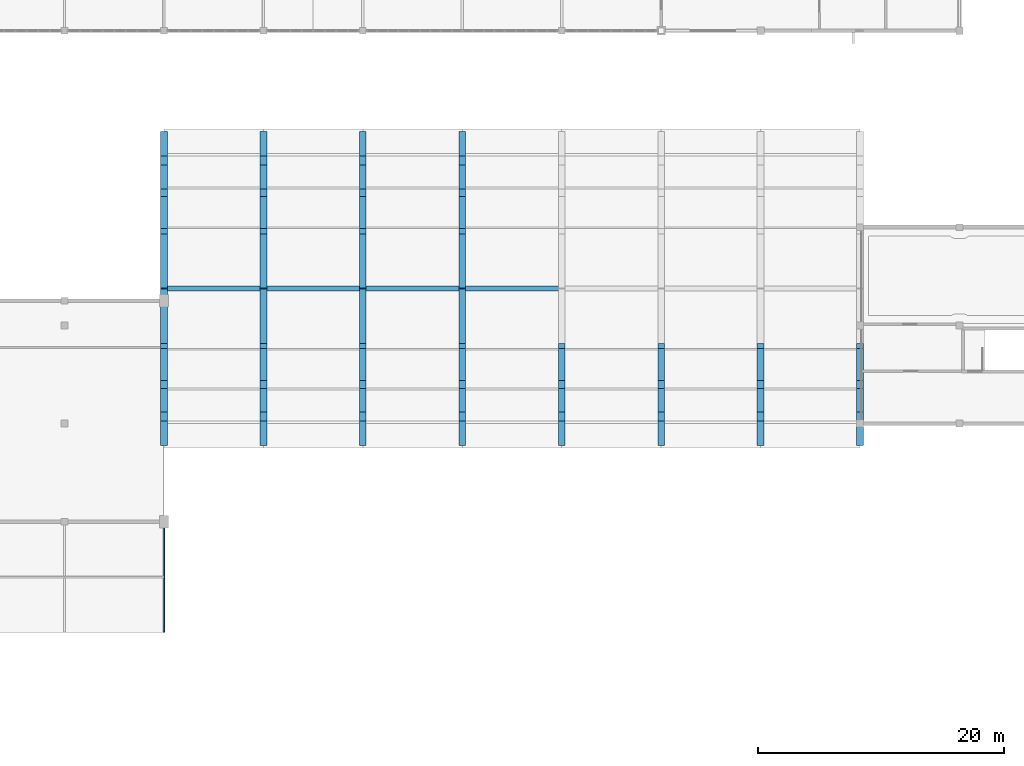
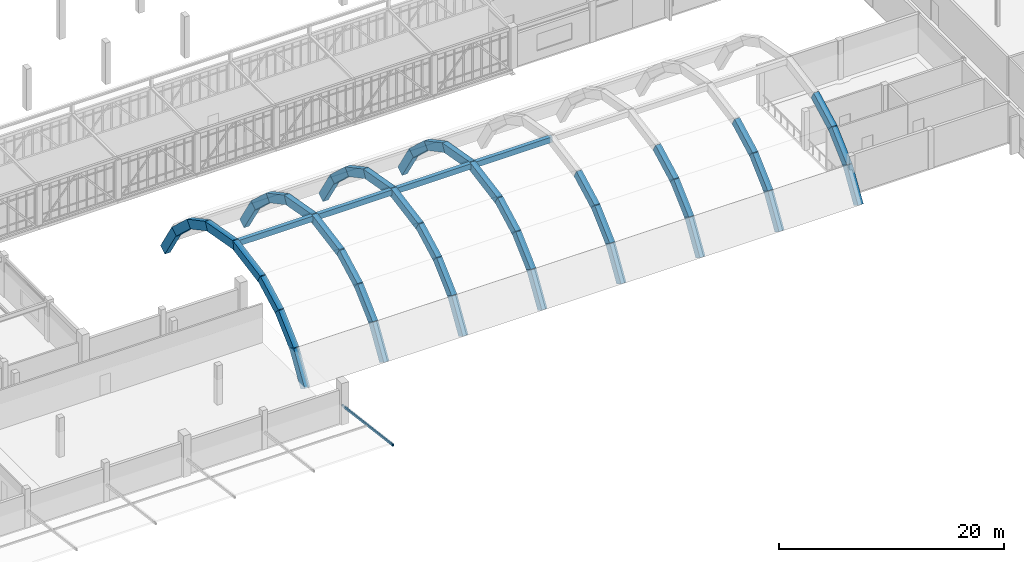
# One storey, part 6 of 67: 48 beams, 1 member.
"""IFC4 building model written with IfcOpenShell, lengths in metres."""

from ifc_helpers import new_model, si_unit, direction, frame, origin, origin_2d, place, context, subcontext, project, spatial, rectangle, hollow_rectangle, extrude, material, material_profile, profile_set, type_object, element, save


model = new_model("IFC4")

# Units and contexts
model_context = context("Model", 3, precision=1e-05, world=origin(), true_north=direction((0.0, 1.0)))
body_context = subcontext(model_context, "Body", "Model", "MODEL_VIEW")
ifc_project = project(units=[si_unit("LENGTHUNIT", "METRE"), si_unit("AREAUNIT", "SQUARE_METRE"), si_unit("VOLUMEUNIT", "CUBIC_METRE"), si_unit("PLANEANGLEUNIT", "RADIAN"), si_unit("MASSUNIT", "GRAM", prefix="KILO")], contexts=[model_context])

# Site, building, storey
site_placement = place(None, origin())
site = spatial("IfcSite", under=ifc_project, at=site_placement, CompositionType="ELEMENT")
building_placement = place(site_placement, origin())
building = spatial("IfcBuilding", under=site, at=building_placement, Name="Tarnveldt Square Police Headquarters", CompositionType="ELEMENT")
storey_placement = place(building_placement, frame((0.0, 0.0, 10.199951171875)))
storey = spatial("IfcBuildingStorey", under=building, at=storey_placement, Name="L02", CompositionType="ELEMENT", Elevation=10.199951171875)

# Beams
ifc_material_1 = material(Name="Concrete 40 MPa", Category="concrete")
ifc_material_profile_1 = material_profile(ifc_material_1, rectangle(XDim=0.39990234375, YDim=0.60009765625, at=origin_2d()), Name="RC-B400x600")
ifc_profile_set_1 = profile_set([ifc_material_profile_1], Name="Concrete 40 MPa")
beam_type_1 = type_object("IfcBeamType", Name="BM-RC400x600", PredefinedType="BEAM", material=ifc_profile_set_1)
beam_1_placement = place(storey_placement, frame((64.800048828125, 35.0, 7.81005859375), z_axis=(1.0, 0.0, 0.0), x_axis=(0.0, 1.0, 0.0)))
element("IfcBeam", 1, at=beam_1_placement, inside=storey, type_object=beam_type_1, Name="Public Entrance Hall Barrel Vault Crown Ring Beam 1", PredefinedType="BEAM", context=body_context, shape_type="SweptSolid", body=[
    extrude(rectangle(XDim=0.39990234375, YDim=0.60009765625, at=origin_2d()), origin(), (0.0, 0.0, 1.0), 8.099853515625),
])
for number, where, z_axis, x_axis, name in (
    (2, (72.89990234375, 35.0, 7.81005859375), (1.0, 0.0, 0.0), (0.0, 1.0, 0.0), "Public Entrance Hall Barrel Vault Crown Ring Beam 2"),
    (3, (81.0, 35.0, 7.81005859375), (1.0, 0.0, 0.0), (0.0, 1.0, 0.0), "Public Entrance Hall Barrel Vault Crown Ring Beam 3"),
):
    element("IfcBeam", number, at=place(storey_placement, frame(where, z_axis=z_axis, x_axis=x_axis)), inside=storey, type_object=beam_type_1, Name=name, PredefinedType="BEAM", context=body_context, shape_type="SweptSolid", body=[
        extrude(rectangle(XDim=0.39990234375, YDim=0.60009765625, at=origin_2d()), origin(), (0.0, 0.0, 1.0), 8.10009765625),
    ])
beam_2_placement = place(storey_placement, frame((89.10009765625, 35.0, 7.81005859375), z_axis=(1.0, 0.0, 0.0), x_axis=(0.0, 1.0, 0.0)))
element("IfcBeam", 4, at=beam_2_placement, inside=storey, type_object=beam_type_1, Name="Public Entrance Hall Barrel Vault Crown Ring Beam 4", PredefinedType="BEAM", context=body_context, shape_type="SweptSolid", body=[
    extrude(rectangle(XDim=0.39990234375, YDim=0.60009765625, at=origin_2d()), origin(), (0.0, 0.0, 1.0), 8.099853515625),
])
ifc_material_profile_2 = material_profile(ifc_material_1, rectangle(XDim=0.550048828125, YDim=0.89990234375, at=origin_2d()), Name="RC-RIB550x900")
ifc_profile_set_2 = profile_set([ifc_material_profile_2], Name="Concrete 40 MPa")
beam_type_2 = type_object("IfcBeamType", Name="BM-RIB550x900", PredefinedType="USERDEFINED", material=ifc_profile_set_2)
beam_3_placement = place(storey_placement, frame((64.800048828125, 22.577392578125, -0.359130859375), z_axis=(0.0, 0.528169479529, 0.849138976196), x_axis=(-1.0, 0.0, 0.0)))
element("IfcBeam", 5, at=beam_3_placement, inside=storey, type_object=beam_type_2, Name="Public Entrance Hall Exposed Arch Rib 1.1", ObjectType="ARCH RIB", PredefinedType="USERDEFINED", context=body_context, shape_type="SweptSolid", body=[
    extrude(rectangle(XDim=0.550048828125, YDim=0.89990234375, at=origin_2d()), origin(), (0.0, 0.0, 1.0), 3.781005859375),
])
beam_4_placement = place(storey_placement, frame((64.800048828125, 24.460693359375, 2.71337890625), z_axis=(0.0, 0.731336551038, 0.682016751345), x_axis=(-1.0, 0.0, 0.0)))
element("IfcBeam", 6, at=beam_4_placement, inside=storey, type_object=beam_type_2, Name="Public Entrance Hall Exposed Arch Rib 1.2", ObjectType="ARCH RIB", PredefinedType="USERDEFINED", context=body_context, shape_type="SweptSolid", body=[
    extrude(rectangle(XDim=0.550048828125, YDim=0.89990234375, at=origin_2d()), origin(), (0.0, 0.0, 1.0), 3.722412109375),
])
beam_5_placement = place(storey_placement, frame((64.800048828125, 27.03857421875, 5.14892578125), z_axis=(0.0, 0.882931392206, 0.469502030514), x_axis=(-1.0, 0.0, 0.0)))
element("IfcBeam", 7, at=beam_5_placement, inside=storey, type_object=beam_type_2, Name="Public Entrance Hall Exposed Arch Rib 1.3", ObjectType="ARCH RIB", PredefinedType="USERDEFINED", context=body_context, shape_type="SweptSolid", body=[
    extrude(rectangle(XDim=0.550048828125, YDim=0.89990234375, at=origin_2d()), origin(), (0.0, 0.0, 1.0), 3.72265625),
])
for number, where, z_axis, x_axis, name in (
    (8, (64.800048828125, 30.127197265625, 6.827880859375), (0.0, 0.984039573489, 0.177949762031), (-1.0, 0.0, 0.0), "Public Entrance Hall Exposed Arch Rib 1.4"),
    (9, (64.800048828125, 34.87890625, 7.73095703125), (0.0, 0.984039573489, -0.177949762031), (-1.0, 0.0, 0.0), "Public Entrance Hall Exposed Arch Rib 1.5"),
):
    element("IfcBeam", number, at=place(storey_placement, frame(where, z_axis=z_axis, x_axis=x_axis)), inside=storey, type_object=beam_type_2, Name=name, ObjectType="ARCH RIB", PredefinedType="USERDEFINED", context=body_context, shape_type="SweptSolid", body=[
        extrude(rectangle(XDim=0.550048828125, YDim=0.89990234375, at=origin_2d()), origin(), (0.0, 0.0, 1.0), 5.074951171875),
    ])
beam_6_placement = place(storey_placement, frame((64.800048828125, 39.674560546875, 6.896728515625), z_axis=(0.0, 0.882931392206, -0.469502030514), x_axis=(-1.0, 0.0, 0.0)))
element("IfcBeam", 10, at=beam_6_placement, inside=storey, type_object=beam_type_2, Name="Public Entrance Hall Exposed Arch Rib 1.6", ObjectType="ARCH RIB", PredefinedType="USERDEFINED", context=body_context, shape_type="SweptSolid", body=[
    extrude(rectangle(XDim=0.550048828125, YDim=0.89990234375, at=origin_2d()), origin(), (0.0, 0.0, 1.0), 3.72265625),
])
beam_7_placement = place(storey_placement, frame((64.800048828125, 42.81689453125, 5.252197265625), z_axis=(0.0, 0.731336551038, -0.682016751345), x_axis=(-1.0, 0.0, 0.0)))
element("IfcBeam", 11, at=beam_7_placement, inside=storey, type_object=beam_type_2, Name="Public Entrance Hall Exposed Arch Rib 1.7", ObjectType="ARCH RIB", PredefinedType="USERDEFINED", context=body_context, shape_type="SweptSolid", body=[
    extrude(rectangle(XDim=0.550048828125, YDim=0.89990234375, at=origin_2d()), origin(), (0.0, 0.0, 1.0), 3.722412109375),
])
for number, where, z_axis, x_axis, name in (
    (12, (64.800048828125, 45.425537109375, 2.8515625), (0.0, 0.528169479529, -0.849138976196), (-1.0, 0.0, 0.0), "Public Entrance Hall Exposed Arch Rib 1.8"),
    (13, (72.89990234375, 22.577392578125, -0.359130859375), (0.0, 0.528169479529, 0.849138976196), (-1.0, 0.0, 0.0), "Public Entrance Hall Exposed Arch Rib 2.1"),
):
    element("IfcBeam", number, at=place(storey_placement, frame(where, z_axis=z_axis, x_axis=x_axis)), inside=storey, type_object=beam_type_2, Name=name, ObjectType="ARCH RIB", PredefinedType="USERDEFINED", context=body_context, shape_type="SweptSolid", body=[
        extrude(rectangle(XDim=0.550048828125, YDim=0.89990234375, at=origin_2d()), origin(), (0.0, 0.0, 1.0), 3.781005859375),
    ])
beam_8_placement = place(storey_placement, frame((72.89990234375, 24.460693359375, 2.71337890625), z_axis=(0.0, 0.731336551038, 0.682016751345), x_axis=(-1.0, 0.0, 0.0)))
element("IfcBeam", 14, at=beam_8_placement, inside=storey, type_object=beam_type_2, Name="Public Entrance Hall Exposed Arch Rib 2.2", ObjectType="ARCH RIB", PredefinedType="USERDEFINED", context=body_context, shape_type="SweptSolid", body=[
    extrude(rectangle(XDim=0.550048828125, YDim=0.89990234375, at=origin_2d()), origin(), (0.0, 0.0, 1.0), 3.722412109375),
])
beam_9_placement = place(storey_placement, frame((72.89990234375, 27.03857421875, 5.14892578125), z_axis=(0.0, 0.882931392206, 0.469502030514), x_axis=(-1.0, 0.0, 0.0)))
element("IfcBeam", 15, at=beam_9_placement, inside=storey, type_object=beam_type_2, Name="Public Entrance Hall Exposed Arch Rib 2.3", ObjectType="ARCH RIB", PredefinedType="USERDEFINED", context=body_context, shape_type="SweptSolid", body=[
    extrude(rectangle(XDim=0.550048828125, YDim=0.89990234375, at=origin_2d()), origin(), (0.0, 0.0, 1.0), 3.72265625),
])
for number, where, z_axis, x_axis, name in (
    (16, (72.89990234375, 30.127197265625, 6.827880859375), (0.0, 0.984039573489, 0.177949762031), (-1.0, 0.0, 0.0), "Public Entrance Hall Exposed Arch Rib 2.4"),
    (17, (72.89990234375, 34.87890625, 7.73095703125), (0.0, 0.984039573489, -0.177949762031), (-1.0, 0.0, 0.0), "Public Entrance Hall Exposed Arch Rib 2.5"),
):
    element("IfcBeam", number, at=place(storey_placement, frame(where, z_axis=z_axis, x_axis=x_axis)), inside=storey, type_object=beam_type_2, Name=name, ObjectType="ARCH RIB", PredefinedType="USERDEFINED", context=body_context, shape_type="SweptSolid", body=[
        extrude(rectangle(XDim=0.550048828125, YDim=0.89990234375, at=origin_2d()), origin(), (0.0, 0.0, 1.0), 5.074951171875),
    ])
beam_10_placement = place(storey_placement, frame((72.89990234375, 39.674560546875, 6.896728515625), z_axis=(0.0, 0.882931392206, -0.469502030514), x_axis=(-1.0, 0.0, 0.0)))
element("IfcBeam", 18, at=beam_10_placement, inside=storey, type_object=beam_type_2, Name="Public Entrance Hall Exposed Arch Rib 2.6", ObjectType="ARCH RIB", PredefinedType="USERDEFINED", context=body_context, shape_type="SweptSolid", body=[
    extrude(rectangle(XDim=0.550048828125, YDim=0.89990234375, at=origin_2d()), origin(), (0.0, 0.0, 1.0), 3.72265625),
])
beam_11_placement = place(storey_placement, frame((72.89990234375, 42.81689453125, 5.252197265625), z_axis=(0.0, 0.731336551038, -0.682016751345), x_axis=(-1.0, 0.0, 0.0)))
element("IfcBeam", 19, at=beam_11_placement, inside=storey, type_object=beam_type_2, Name="Public Entrance Hall Exposed Arch Rib 2.7", ObjectType="ARCH RIB", PredefinedType="USERDEFINED", context=body_context, shape_type="SweptSolid", body=[
    extrude(rectangle(XDim=0.550048828125, YDim=0.89990234375, at=origin_2d()), origin(), (0.0, 0.0, 1.0), 3.722412109375),
])
for number, where, z_axis, x_axis, name in (
    (20, (72.89990234375, 45.425537109375, 2.8515625), (0.0, 0.528169479529, -0.849138976196), (-1.0, 0.0, 0.0), "Public Entrance Hall Exposed Arch Rib 2.8"),
    (21, (81.0, 22.577392578125, -0.359130859375), (0.0, 0.528169479529, 0.849138976196), (-1.0, 0.0, 0.0), "Public Entrance Hall Exposed Arch Rib 3.1"),
):
    element("IfcBeam", number, at=place(storey_placement, frame(where, z_axis=z_axis, x_axis=x_axis)), inside=storey, type_object=beam_type_2, Name=name, ObjectType="ARCH RIB", PredefinedType="USERDEFINED", context=body_context, shape_type="SweptSolid", body=[
        extrude(rectangle(XDim=0.550048828125, YDim=0.89990234375, at=origin_2d()), origin(), (0.0, 0.0, 1.0), 3.781005859375),
    ])
beam_12_placement = place(storey_placement, frame((81.0, 24.460693359375, 2.71337890625), z_axis=(0.0, 0.731336551038, 0.682016751345), x_axis=(-1.0, 0.0, 0.0)))
element("IfcBeam", 22, at=beam_12_placement, inside=storey, type_object=beam_type_2, Name="Public Entrance Hall Exposed Arch Rib 3.2", ObjectType="ARCH RIB", PredefinedType="USERDEFINED", context=body_context, shape_type="SweptSolid", body=[
    extrude(rectangle(XDim=0.550048828125, YDim=0.89990234375, at=origin_2d()), origin(), (0.0, 0.0, 1.0), 3.722412109375),
])
beam_13_placement = place(storey_placement, frame((81.0, 27.03857421875, 5.14892578125), z_axis=(0.0, 0.882931392206, 0.469502030514), x_axis=(-1.0, 0.0, 0.0)))
element("IfcBeam", 23, at=beam_13_placement, inside=storey, type_object=beam_type_2, Name="Public Entrance Hall Exposed Arch Rib 3.3", ObjectType="ARCH RIB", PredefinedType="USERDEFINED", context=body_context, shape_type="SweptSolid", body=[
    extrude(rectangle(XDim=0.550048828125, YDim=0.89990234375, at=origin_2d()), origin(), (0.0, 0.0, 1.0), 3.72265625),
])
for number, where, z_axis, x_axis, name in (
    (24, (81.0, 30.127197265625, 6.827880859375), (0.0, 0.984039573489, 0.177949762031), (-1.0, 0.0, 0.0), "Public Entrance Hall Exposed Arch Rib 3.4"),
    (25, (81.0, 34.87890625, 7.73095703125), (0.0, 0.984039573489, -0.177949762031), (-1.0, 0.0, 0.0), "Public Entrance Hall Exposed Arch Rib 3.5"),
):
    element("IfcBeam", number, at=place(storey_placement, frame(where, z_axis=z_axis, x_axis=x_axis)), inside=storey, type_object=beam_type_2, Name=name, ObjectType="ARCH RIB", PredefinedType="USERDEFINED", context=body_context, shape_type="SweptSolid", body=[
        extrude(rectangle(XDim=0.550048828125, YDim=0.89990234375, at=origin_2d()), origin(), (0.0, 0.0, 1.0), 5.074951171875),
    ])
beam_14_placement = place(storey_placement, frame((81.0, 39.674560546875, 6.896728515625), z_axis=(0.0, 0.882931392206, -0.469502030514), x_axis=(-1.0, 0.0, 0.0)))
element("IfcBeam", 26, at=beam_14_placement, inside=storey, type_object=beam_type_2, Name="Public Entrance Hall Exposed Arch Rib 3.6", ObjectType="ARCH RIB", PredefinedType="USERDEFINED", context=body_context, shape_type="SweptSolid", body=[
    extrude(rectangle(XDim=0.550048828125, YDim=0.89990234375, at=origin_2d()), origin(), (0.0, 0.0, 1.0), 3.72265625),
])
beam_15_placement = place(storey_placement, frame((81.0, 42.81689453125, 5.252197265625), z_axis=(0.0, 0.731336551038, -0.682016751345), x_axis=(-1.0, 0.0, 0.0)))
element("IfcBeam", 27, at=beam_15_placement, inside=storey, type_object=beam_type_2, Name="Public Entrance Hall Exposed Arch Rib 3.7", ObjectType="ARCH RIB", PredefinedType="USERDEFINED", context=body_context, shape_type="SweptSolid", body=[
    extrude(rectangle(XDim=0.550048828125, YDim=0.89990234375, at=origin_2d()), origin(), (0.0, 0.0, 1.0), 3.722412109375),
])
for number, where, z_axis, x_axis, name in (
    (28, (81.0, 45.425537109375, 2.8515625), (0.0, 0.528169479529, -0.849138976196), (-1.0, 0.0, 0.0), "Public Entrance Hall Exposed Arch Rib 3.8"),
    (29, (89.10009765625, 22.577392578125, -0.359130859375), (0.0, 0.528169479529, 0.849138976196), (-1.0, 0.0, 0.0), "Public Entrance Hall Exposed Arch Rib 4.1"),
):
    element("IfcBeam", number, at=place(storey_placement, frame(where, z_axis=z_axis, x_axis=x_axis)), inside=storey, type_object=beam_type_2, Name=name, ObjectType="ARCH RIB", PredefinedType="USERDEFINED", context=body_context, shape_type="SweptSolid", body=[
        extrude(rectangle(XDim=0.550048828125, YDim=0.89990234375, at=origin_2d()), origin(), (0.0, 0.0, 1.0), 3.781005859375),
    ])
beam_16_placement = place(storey_placement, frame((89.10009765625, 24.460693359375, 2.71337890625), z_axis=(0.0, 0.731336551038, 0.682016751345), x_axis=(-1.0, 0.0, 0.0)))
element("IfcBeam", 30, at=beam_16_placement, inside=storey, type_object=beam_type_2, Name="Public Entrance Hall Exposed Arch Rib 4.2", ObjectType="ARCH RIB", PredefinedType="USERDEFINED", context=body_context, shape_type="SweptSolid", body=[
    extrude(rectangle(XDim=0.550048828125, YDim=0.89990234375, at=origin_2d()), origin(), (0.0, 0.0, 1.0), 3.722412109375),
])
beam_17_placement = place(storey_placement, frame((89.10009765625, 27.03857421875, 5.14892578125), z_axis=(0.0, 0.882931392206, 0.469502030514), x_axis=(-1.0, 0.0, 0.0)))
element("IfcBeam", 31, at=beam_17_placement, inside=storey, type_object=beam_type_2, Name="Public Entrance Hall Exposed Arch Rib 4.3", ObjectType="ARCH RIB", PredefinedType="USERDEFINED", context=body_context, shape_type="SweptSolid", body=[
    extrude(rectangle(XDim=0.550048828125, YDim=0.89990234375, at=origin_2d()), origin(), (0.0, 0.0, 1.0), 3.72265625),
])
for number, where, z_axis, x_axis, name in (
    (32, (89.10009765625, 30.127197265625, 6.827880859375), (0.0, 0.984039573489, 0.177949762031), (-1.0, 0.0, 0.0), "Public Entrance Hall Exposed Arch Rib 4.4"),
    (33, (89.10009765625, 34.87890625, 7.73095703125), (0.0, 0.984039573489, -0.177949762031), (-1.0, 0.0, 0.0), "Public Entrance Hall Exposed Arch Rib 4.5"),
):
    element("IfcBeam", number, at=place(storey_placement, frame(where, z_axis=z_axis, x_axis=x_axis)), inside=storey, type_object=beam_type_2, Name=name, ObjectType="ARCH RIB", PredefinedType="USERDEFINED", context=body_context, shape_type="SweptSolid", body=[
        extrude(rectangle(XDim=0.550048828125, YDim=0.89990234375, at=origin_2d()), origin(), (0.0, 0.0, 1.0), 5.074951171875),
    ])
beam_18_placement = place(storey_placement, frame((89.10009765625, 39.674560546875, 6.896728515625), z_axis=(0.0, 0.882931392206, -0.469502030514), x_axis=(-1.0, 0.0, 0.0)))
element("IfcBeam", 34, at=beam_18_placement, inside=storey, type_object=beam_type_2, Name="Public Entrance Hall Exposed Arch Rib 4.6", ObjectType="ARCH RIB", PredefinedType="USERDEFINED", context=body_context, shape_type="SweptSolid", body=[
    extrude(rectangle(XDim=0.550048828125, YDim=0.89990234375, at=origin_2d()), origin(), (0.0, 0.0, 1.0), 3.72265625),
])
beam_19_placement = place(storey_placement, frame((89.10009765625, 42.81689453125, 5.252197265625), z_axis=(0.0, 0.731336551038, -0.682016751345), x_axis=(-1.0, 0.0, 0.0)))
element("IfcBeam", 35, at=beam_19_placement, inside=storey, type_object=beam_type_2, Name="Public Entrance Hall Exposed Arch Rib 4.7", ObjectType="ARCH RIB", PredefinedType="USERDEFINED", context=body_context, shape_type="SweptSolid", body=[
    extrude(rectangle(XDim=0.550048828125, YDim=0.89990234375, at=origin_2d()), origin(), (0.0, 0.0, 1.0), 3.722412109375),
])
for number, where, z_axis, x_axis, name in (
    (36, (89.10009765625, 45.425537109375, 2.8515625), (0.0, 0.528169479529, -0.849138976196), (-1.0, 0.0, 0.0), "Public Entrance Hall Exposed Arch Rib 4.8"),
    (37, (97.199951171875, 22.577392578125, -0.359130859375), (0.0, 0.528169479529, 0.849138976196), (-1.0, 0.0, 0.0), "Public Entrance Hall Exposed Arch Rib 5.1"),
):
    element("IfcBeam", number, at=place(storey_placement, frame(where, z_axis=z_axis, x_axis=x_axis)), inside=storey, type_object=beam_type_2, Name=name, ObjectType="ARCH RIB", PredefinedType="USERDEFINED", context=body_context, shape_type="SweptSolid", body=[
        extrude(rectangle(XDim=0.550048828125, YDim=0.89990234375, at=origin_2d()), origin(), (0.0, 0.0, 1.0), 3.781005859375),
    ])
beam_20_placement = place(storey_placement, frame((97.199951171875, 24.460693359375, 2.71337890625), z_axis=(0.0, 0.731336551038, 0.682016751345), x_axis=(-1.0, 0.0, 0.0)))
element("IfcBeam", 38, at=beam_20_placement, inside=storey, type_object=beam_type_2, Name="Public Entrance Hall Exposed Arch Rib 5.2", ObjectType="ARCH RIB", PredefinedType="USERDEFINED", context=body_context, shape_type="SweptSolid", body=[
    extrude(rectangle(XDim=0.550048828125, YDim=0.89990234375, at=origin_2d()), origin(), (0.0, 0.0, 1.0), 3.722412109375),
])
beam_21_placement = place(storey_placement, frame((97.199951171875, 27.03857421875, 5.14892578125), z_axis=(0.0, 0.882931392206, 0.469502030514), x_axis=(-1.0, 0.0, 0.0)))
element("IfcBeam", 39, at=beam_21_placement, inside=storey, type_object=beam_type_2, Name="Public Entrance Hall Exposed Arch Rib 5.3", ObjectType="ARCH RIB", PredefinedType="USERDEFINED", context=body_context, shape_type="SweptSolid", body=[
    extrude(rectangle(XDim=0.550048828125, YDim=0.89990234375, at=origin_2d()), origin(), (0.0, 0.0, 1.0), 3.72265625),
])
beam_22_placement = place(storey_placement, frame((105.300048828125, 22.577392578125, -0.359130859375), z_axis=(0.0, 0.528169479529, 0.849138976196), x_axis=(-1.0, 0.0, 0.0)))
element("IfcBeam", 40, at=beam_22_placement, inside=storey, type_object=beam_type_2, Name="Public Entrance Hall Exposed Arch Rib 6.1", ObjectType="ARCH RIB", PredefinedType="USERDEFINED", context=body_context, shape_type="SweptSolid", body=[
    extrude(rectangle(XDim=0.550048828125, YDim=0.89990234375, at=origin_2d()), origin(), (0.0, 0.0, 1.0), 3.781005859375),
])
beam_23_placement = place(storey_placement, frame((105.300048828125, 24.460693359375, 2.71337890625), z_axis=(0.0, 0.731336551038, 0.682016751345), x_axis=(-1.0, 0.0, 0.0)))
element("IfcBeam", 41, at=beam_23_placement, inside=storey, type_object=beam_type_2, Name="Public Entrance Hall Exposed Arch Rib 6.2", ObjectType="ARCH RIB", PredefinedType="USERDEFINED", context=body_context, shape_type="SweptSolid", body=[
    extrude(rectangle(XDim=0.550048828125, YDim=0.89990234375, at=origin_2d()), origin(), (0.0, 0.0, 1.0), 3.722412109375),
])
beam_24_placement = place(storey_placement, frame((105.300048828125, 27.03857421875, 5.14892578125), z_axis=(0.0, 0.882931392206, 0.469502030514), x_axis=(-1.0, 0.0, 0.0)))
element("IfcBeam", 42, at=beam_24_placement, inside=storey, type_object=beam_type_2, Name="Public Entrance Hall Exposed Arch Rib 6.3", ObjectType="ARCH RIB", PredefinedType="USERDEFINED", context=body_context, shape_type="SweptSolid", body=[
    extrude(rectangle(XDim=0.550048828125, YDim=0.89990234375, at=origin_2d()), origin(), (0.0, 0.0, 1.0), 3.72265625),
])
beam_25_placement = place(storey_placement, frame((113.39990234375, 22.577392578125, -0.359130859375), z_axis=(0.0, 0.528169479529, 0.849138976196), x_axis=(-1.0, 0.0, 0.0)))
element("IfcBeam", 43, at=beam_25_placement, inside=storey, type_object=beam_type_2, Name="Public Entrance Hall Exposed Arch Rib 7.1", ObjectType="ARCH RIB", PredefinedType="USERDEFINED", context=body_context, shape_type="SweptSolid", body=[
    extrude(rectangle(XDim=0.550048828125, YDim=0.89990234375, at=origin_2d()), origin(), (0.0, 0.0, 1.0), 3.781005859375),
])
beam_26_placement = place(storey_placement, frame((113.39990234375, 24.460693359375, 2.71337890625), z_axis=(0.0, 0.731336551038, 0.682016751345), x_axis=(-1.0, 0.0, 0.0)))
element("IfcBeam", 44, at=beam_26_placement, inside=storey, type_object=beam_type_2, Name="Public Entrance Hall Exposed Arch Rib 7.2", ObjectType="ARCH RIB", PredefinedType="USERDEFINED", context=body_context, shape_type="SweptSolid", body=[
    extrude(rectangle(XDim=0.550048828125, YDim=0.89990234375, at=origin_2d()), origin(), (0.0, 0.0, 1.0), 3.722412109375),
])
beam_27_placement = place(storey_placement, frame((113.39990234375, 27.03857421875, 5.14892578125), z_axis=(0.0, 0.882931392206, 0.469502030514), x_axis=(-1.0, 0.0, 0.0)))
element("IfcBeam", 45, at=beam_27_placement, inside=storey, type_object=beam_type_2, Name="Public Entrance Hall Exposed Arch Rib 7.3", ObjectType="ARCH RIB", PredefinedType="USERDEFINED", context=body_context, shape_type="SweptSolid", body=[
    extrude(rectangle(XDim=0.550048828125, YDim=0.89990234375, at=origin_2d()), origin(), (0.0, 0.0, 1.0), 3.72265625),
])
beam_28_placement = place(storey_placement, frame((121.5, 22.577392578125, -0.359130859375), z_axis=(0.0, 0.528169479529, 0.849138976196), x_axis=(-1.0, 0.0, 0.0)))
element("IfcBeam", 46, at=beam_28_placement, inside=storey, type_object=beam_type_2, Name="Public Entrance Hall Exposed Arch Rib 8.1", ObjectType="ARCH RIB", PredefinedType="USERDEFINED", context=body_context, shape_type="SweptSolid", body=[
    extrude(rectangle(XDim=0.550048828125, YDim=0.89990234375, at=origin_2d()), origin(), (0.0, 0.0, 1.0), 3.781005859375),
])
beam_29_placement = place(storey_placement, frame((121.5, 24.460693359375, 2.71337890625), z_axis=(0.0, 0.731336551038, 0.682016751345), x_axis=(-1.0, 0.0, 0.0)))
element("IfcBeam", 47, at=beam_29_placement, inside=storey, type_object=beam_type_2, Name="Public Entrance Hall Exposed Arch Rib 8.2", ObjectType="ARCH RIB", PredefinedType="USERDEFINED", context=body_context, shape_type="SweptSolid", body=[
    extrude(rectangle(XDim=0.550048828125, YDim=0.89990234375, at=origin_2d()), origin(), (0.0, 0.0, 1.0), 3.722412109375),
])
beam_30_placement = place(storey_placement, frame((121.5, 27.03857421875, 5.14892578125), z_axis=(0.0, 0.882931392206, 0.469502030514), x_axis=(-1.0, 0.0, 0.0)))
element("IfcBeam", 48, at=beam_30_placement, inside=storey, type_object=beam_type_2, Name="Public Entrance Hall Exposed Arch Rib 8.3", ObjectType="ARCH RIB", PredefinedType="USERDEFINED", context=body_context, shape_type="SweptSolid", body=[
    extrude(rectangle(XDim=0.550048828125, YDim=0.89990234375, at=origin_2d()), origin(), (0.0, 0.0, 1.0), 3.72265625),
])

# Member
ifc_material_2 = material(Name="Steel 350W", Category="steel")
ifc_material_profile_3 = material_profile(ifc_material_2, hollow_rectangle(XDim=0.15234375, YDim=0.25390625, WallThickness=0.010986328125, InnerFilletRadius=0.010986328125, OuterFilletRadius=0.022216796875, at=origin_2d()), Name="HSS254x152x11")
ifc_profile_set_3 = profile_set([ifc_material_profile_3], Name="Steel 350W")
member_type = type_object("IfcMemberType", Name="MEM-SOFFIT-R1", PredefinedType="RAFTER", material=ifc_profile_set_3)
member_placement = place(storey_placement, frame((64.800048828125, 16.0, 1.75), z_axis=(0.0, -0.991933014906, 0.126763141092), x_axis=(1.0, 0.0, 0.0)))
element("IfcMember", 49, at=member_placement, inside=storey, type_object=member_type, Name="Lantern Raked Soffit Rafter 8", PredefinedType="RAFTER", context=body_context, shape_type="SweptSolid", body=[
    extrude(hollow_rectangle(XDim=0.15234375, YDim=0.25390625, WallThickness=0.010986328125, InnerFilletRadius=0.010986328125, OuterFilletRadius=0.022216796875, at=origin_2d()), origin(), (0.0, 0.0, 1.0), 9.0732421875),
])

save(model, "model.ifc")
